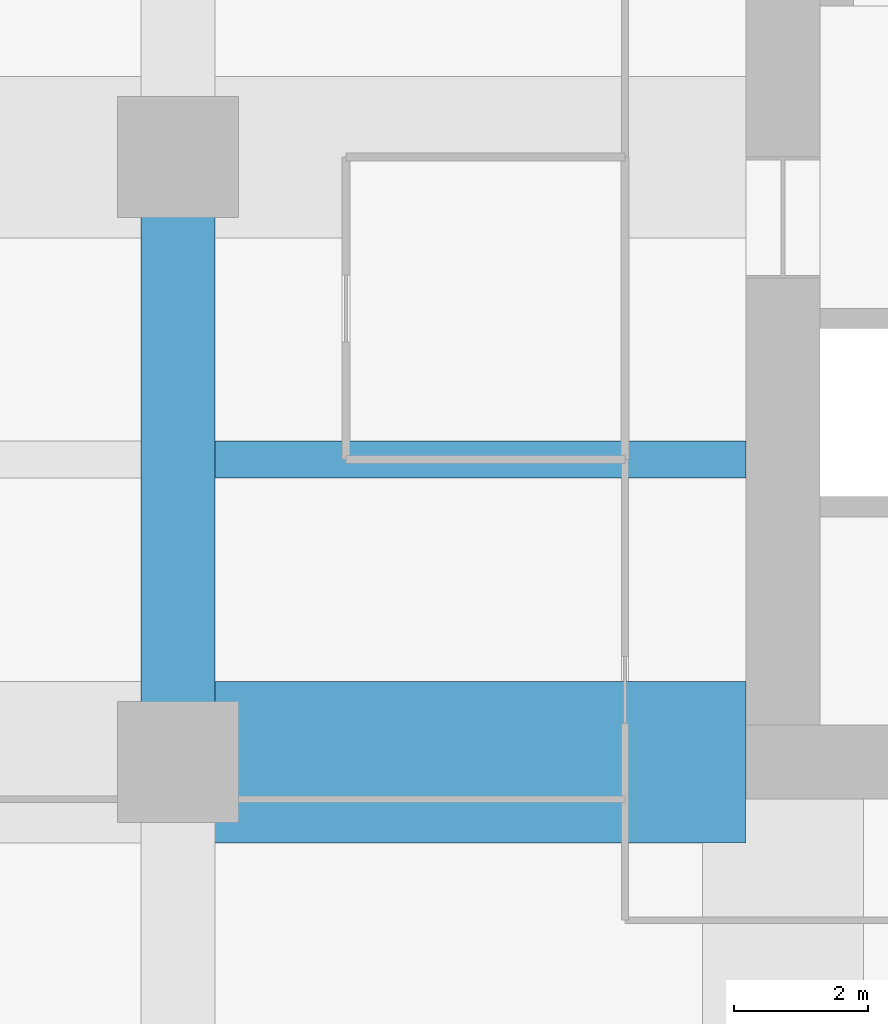
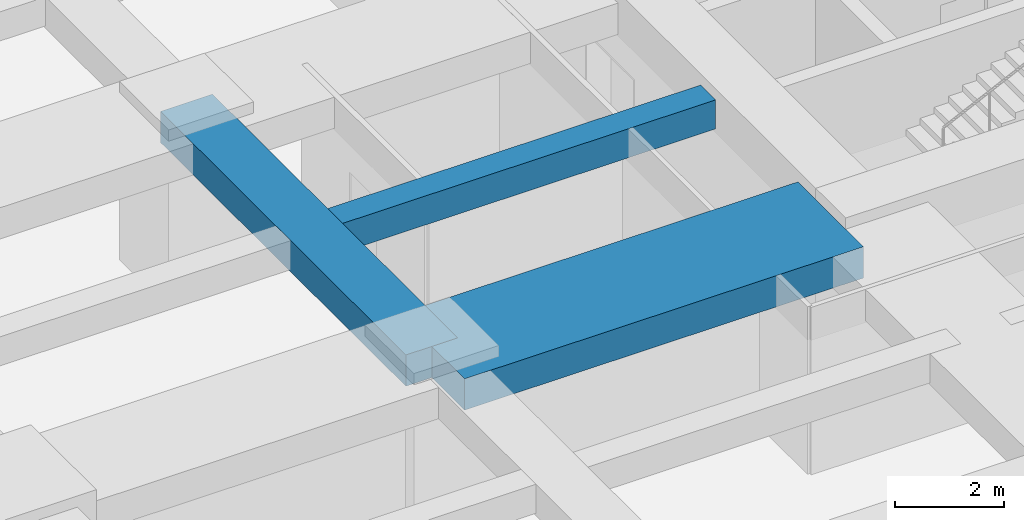
# One storey, part 10 of 42: 3 beams.
"""IFC4 building model written with IfcOpenShell, lengths in metres."""

from ifc_helpers import new_model, si_unit, direction, frame, origin, origin_2d, place, context, subcontext, project, spatial, rectangle, extrude, material, material_profile, profile_set, type_object, element, save


model = new_model("IFC4")

# Units and contexts
model_context = context("Model", 3, precision=1e-05, world=origin(), true_north=direction((0.0, 1.0)))
body_context = subcontext(model_context, "Body", "Model", "MODEL_VIEW")
ifc_project = project(units=[si_unit("LENGTHUNIT", "METRE"), si_unit("AREAUNIT", "SQUARE_METRE"), si_unit("VOLUMEUNIT", "CUBIC_METRE"), si_unit("PLANEANGLEUNIT", "RADIAN"), si_unit("MASSUNIT", "GRAM", prefix="KILO")], contexts=[model_context])

# Site, building, storey
site_placement = place(None, origin())
site = spatial("IfcSite", under=ifc_project, at=site_placement, CompositionType="ELEMENT")
building_placement = place(site_placement, origin())
building = spatial("IfcBuilding", under=site, at=building_placement, Name="Zorevar Civic Tower", CompositionType="ELEMENT")
storey_placement = place(building_placement, frame((0.0, 0.0, 149.0)))
storey = spatial("IfcBuildingStorey", under=building, at=storey_placement, Name="L36", CompositionType="ELEMENT", Elevation=149.0)

# Beams
ifc_material_1 = material(Name="Concrete C50/60", Category="concrete")
ifc_material_profile_1 = material_profile(ifc_material_1, rectangle(XDim=1.10009765625, YDim=0.699951171875, at=origin_2d()), Name="RC 1100x700")
ifc_profile_set_1 = profile_set([ifc_material_profile_1], Name="Concrete C50/60")
beam_type_1 = type_object("IfcBeamType", Name="Beam RC 1100x700", PredefinedType="BEAM", material=ifc_profile_set_1)
beam_1_placement = place(storey_placement, frame((9.0, 18.0, 3.39990234375), z_axis=(0.0, 1.0, 0.0), x_axis=(-1.0, 0.0, 0.0)))
element("IfcBeam", 1, at=beam_1_placement, inside=storey, type_object=beam_type_1, Name="Girder L37", PredefinedType="BEAM", context=body_context, shape_type="SweptSolid", body=[
    extrude(rectangle(XDim=1.10009765625, YDim=0.699951171875, at=origin_2d()), origin(), (0.0, 0.0, 1.0), 9.0),
])
ifc_material_2 = material(Name="Concrete C50/60", Category="concrete")
ifc_material_profile_2 = material_profile(ifc_material_2, rectangle(XDim=2.39990234375, YDim=0.699951171875, at=origin_2d()), Name="RC 2400x700")
ifc_profile_set_2 = profile_set([ifc_material_profile_2], Name="Concrete C50/60")
beam_type_2 = type_object("IfcBeamType", Name="Beam RC 2400x700", PredefinedType="BEAM", material=ifc_profile_set_2)
beam_2_placement = place(storey_placement, frame((9.0, 18.0, 3.39990234375), z_axis=(1.0, 0.0, 0.0), x_axis=(0.0, 1.0, 0.0)))
element("IfcBeam", 2, at=beam_2_placement, inside=storey, type_object=beam_type_2, Name="Girder L37", PredefinedType="BEAM", context=body_context, shape_type="SweptSolid", body=[
    extrude(rectangle(XDim=2.39990234375, YDim=0.699951171875, at=origin_2d()), origin(), (0.0, 0.0, 1.0), 8.449951171875),
])
ifc_material_3 = material(Name="Concrete C50/60", Category="concrete")
ifc_material_profile_3 = material_profile(ifc_material_3, rectangle(XDim=0.550048828125, YDim=0.64990234375, at=origin_2d()), Name="RC 550x650")
ifc_profile_set_3 = profile_set([ifc_material_profile_3], Name="Concrete C50/60")
beam_type_3 = type_object("IfcBeamType", Name="Beam RC 550x650", PredefinedType="BEAM", material=ifc_profile_set_3)
beam_3_placement = place(storey_placement, frame((9.550048828125, 22.5, 3.425048828125), z_axis=(1.0, 0.0, 0.0), x_axis=(0.0, 1.0, 0.0)))
element("IfcBeam", 3, at=beam_3_placement, inside=storey, type_object=beam_type_3, Name="Secondary beam L37", PredefinedType="BEAM", context=body_context, shape_type="SweptSolid", body=[
    extrude(rectangle(XDim=0.550048828125, YDim=0.64990234375, at=origin_2d()), origin(), (0.0, 0.0, 1.0), 7.89990234375),
])

save(model, "model.ifc")
